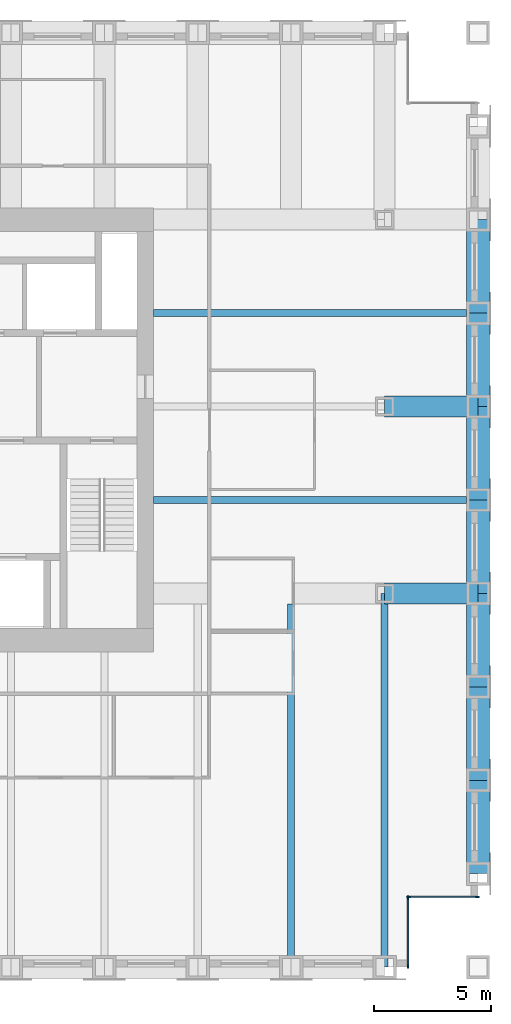
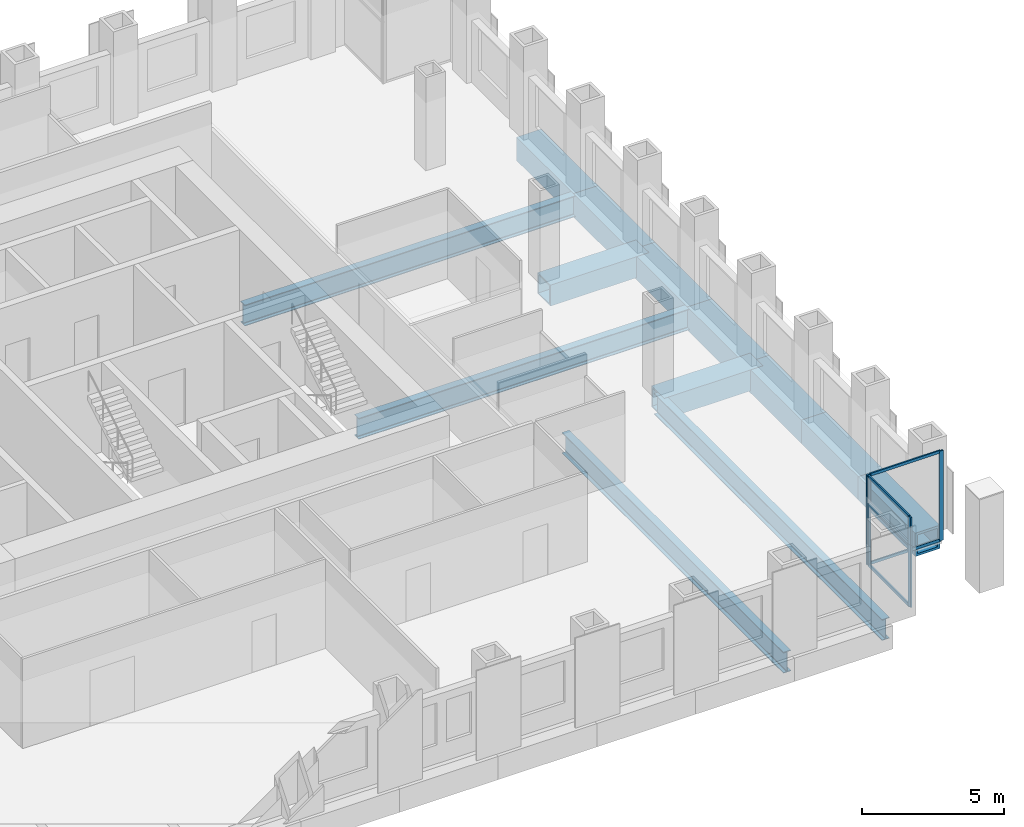
# One storey, part 4 of 12: 13 beams, 12 members, 3 elements without a shape of their own.
"""IFC4 building model written with IfcOpenShell, lengths in metres."""

import ifcopenshell
import ifcopenshell.guid

model = None  # the IFC model being written
_history = None  # IfcOwnerHistory: only IFC2X3 demands one
_inside = {}  # id of a spatial element -> (the spatial element, [elements in it])
_under = {}  # id of a project, library or spatial element -> (it, [spatial elements below it])
_declared = {}  # id of a project -> (the project, [libraries it declares])
_typed = {}  # id of a type object -> (the type object, [elements of that type])
_made_of = {}  # id of a material, layer set ... -> (it, [elements and type objects made of it])


def new_model(schema):
    """Start an empty IFC model of exactly this schema.

    Asked for "IFC4X3", IfcOpenShell would pick the latest addendum, in which some entities
    have other attributes; the version numbers below select the first issue.
    IFC2X3 requires an IfcOwnerHistory on every rooted entity: one is made here for all.
    """
    global model, _history
    if schema == "IFC4X3":
        model = ifcopenshell.file(schema_version=(4, 3, 0, 0))
    else:
        model = ifcopenshell.file(schema=schema)
    _inside.clear()
    _under.clear()
    _declared.clear()
    _typed.clear()
    _made_of.clear()
    _history = None
    if model.schema == "IFC2X3":
        org = make("IfcOrganization", Name="unknown")
        user = make(
            "IfcPersonAndOrganization",
            ThePerson=make("IfcPerson", FamilyName="unknown"),
            TheOrganization=org,
        )
        app = make(
            "IfcApplication",
            ApplicationDeveloper=org,
            Version="unknown",
            ApplicationFullName="unknown",
            ApplicationIdentifier="unknown",
        )
        _history = make(
            "IfcOwnerHistory",
            OwningUser=user,
            OwningApplication=app,
            ChangeAction="ADDED",
            CreationDate=0,
        )
    return model


def make(cls, **values):
    """One entity of the class cls with the attributes given. An attribute that is None is left unset."""
    return model.create_entity(
        cls, **{name: value for name, value in values.items() if value is not None}
    )


def rooted(cls, **values):
    """An entity with a GlobalId (a new one), such as an element, a storey or a relation."""
    return make(cls, GlobalId=ifcopenshell.guid.new(), OwnerHistory=_history, **values)


def si_unit(unit_type, name, prefix=None):
    """IfcSIUnit, for example si_unit("LENGTHUNIT", "METRE", prefix="MILLI")."""
    return make("IfcSIUnit", UnitType=unit_type, Prefix=prefix, Name=name)


def assignment(units):
    """IfcUnitAssignment: the units of a project."""
    return None if units is None else make("IfcUnitAssignment", Units=units)


def point(xyz):
    """IfcCartesianPoint."""
    return None if xyz is None else make("IfcCartesianPoint", Coordinates=xyz)


def direction(xyz):
    """IfcDirection."""
    return None if xyz is None else make("IfcDirection", DirectionRatios=xyz)


def frame(location, z_axis=None, x_axis=None):
    """IfcAxis2Placement3D, a coordinate frame: its origin and axes. An axis left out is left unset."""
    return make(
        "IfcAxis2Placement3D",
        Location=point(location),
        Axis=direction(z_axis),
        RefDirection=direction(x_axis),
    )


def frame_2d(location, x_axis=None):
    """IfcAxis2Placement2D, a coordinate frame in the plane: its origin and x axis."""
    return make(
        "IfcAxis2Placement2D", Location=point(location), RefDirection=direction(x_axis)
    )


def origin():
    """The frame at (0, 0, 0) with its axes left unset."""
    return frame((0.0, 0.0, 0.0))


def origin_2d():
    """The frame at (0, 0) in the plane with its x axis left unset."""
    return frame_2d((0.0, 0.0))


def place(relative_to, where):
    """IfcLocalPlacement: puts the frame where relative to a parent placement (None: the world)."""
    return make(
        "IfcLocalPlacement", PlacementRelTo=relative_to, RelativePlacement=where
    )


def context(
    kind, dimensions, precision=None, world=None, true_north=None, identifier=None
):
    """IfcGeometricRepresentationContext, for example the 3D "Model" context."""
    return make(
        "IfcGeometricRepresentationContext",
        ContextIdentifier=identifier,
        ContextType=kind,
        CoordinateSpaceDimension=dimensions,
        Precision=precision,
        WorldCoordinateSystem=world,
        TrueNorth=true_north,
    )


def subcontext(parent, identifier, kind, view, scale=None):
    """IfcGeometricRepresentationSubContext, for example "Body" below "Model"."""
    return make(
        "IfcGeometricRepresentationSubContext",
        ContextIdentifier=identifier,
        ContextType=kind,
        ParentContext=parent,
        TargetScale=scale,
        TargetView=view,
    )


def project(units=None, contexts=None):
    """IfcProject with its units and contexts."""
    return rooted(
        "IfcProject",
        Name="project",
        RepresentationContexts=contexts,
        UnitsInContext=assignment(units),
    )


def spatial(cls, under=None, at=None, **own):
    """A site, building, storey or space (cls), placed at a placement, below another one or the project."""
    s = rooted(cls, ObjectPlacement=at, **own)
    if under is not None:
        _under.setdefault(under.id(), (under, []))[1].append(s)
    return s


def profile(cls, at=None, kind="AREA", **sizes):
    """A parametric profile (cls). Its sizes go by their IFC names, for example OverallWidth=200.0."""
    return make(cls, ProfileType=kind, Position=at, **sizes)


def rectangle(**sizes):
    """IfcRectangleProfileDef."""
    return profile("IfcRectangleProfileDef", **sizes)


def hollow_rectangle(**sizes):
    """IfcRectangleHollowProfileDef."""
    return profile("IfcRectangleHollowProfileDef", **sizes)


def i_section(**sizes):
    """IfcIShapeProfileDef."""
    return profile("IfcIShapeProfileDef", **sizes)


def extrude(swept, where, along, depth):
    """IfcExtrudedAreaSolid: the profile swept, set in the frame where, extruded along a direction by depth."""
    return make(
        "IfcExtrudedAreaSolid",
        SweptArea=swept,
        Position=where,
        ExtrudedDirection=direction(along),
        Depth=depth,
    )


def shape(context_of_items, identifier, shape_type, items):
    """IfcShapeRepresentation: the items that make up one representation, for example the "Body"."""
    return make(
        "IfcShapeRepresentation",
        ContextOfItems=context_of_items,
        RepresentationIdentifier=identifier,
        RepresentationType=shape_type,
        Items=items,
    )


def material(Name=None, Category=None):
    """IfcMaterial."""
    return make("IfcMaterial", Name=Name, Category=Category)


def material_profile(
    of_material, cross_section, Name=None, Category=None, Priority=None
):
    """IfcMaterialProfile: a cross section and its material."""
    return make(
        "IfcMaterialProfile",
        Name=Name,
        Material=of_material,
        Profile=cross_section,
        Priority=Priority,
        Category=Category,
    )


def profile_set(profiles, Name=None, composite=None):
    """IfcMaterialProfileSet."""
    return make(
        "IfcMaterialProfileSet",
        Name=Name,
        MaterialProfiles=profiles,
        CompositeProfile=composite,
    )


def made_of(thing, what):
    """Note that an element or type object is made of a material, layer set ...; save() writes the relation."""
    if what is not None:
        _made_of.setdefault(what.id(), (what, []))[1].append(thing)
    return thing


def type_object(cls, material=None, **own):
    """A type object (cls), such as IfcWallType, which elements share."""
    return made_of(rooted(cls, **own), material)


def element(
    cls,
    number,
    at=None,
    inside=None,
    cuts=None,
    type_object=None,
    material=None,
    context=None,
    identifier="Body",
    shape_type=None,
    held_by="IfcProductDefinitionShape",
    body=None,
    shapes=None,
    **own,
):
    """One element of the class cls, such as IfcWall. Its Tag is "e" and its number.

    at: its placement. inside: the storey or other place that contains it. cuts: it is an
    opening in that element (IfcRelVoidsElement). A single representation is given by context,
    identifier, shape_type and body (its items); several are given by shapes. held_by: the class
    of the entity that holds the representations. save() writes the other relations.
    """
    e = rooted(cls, Tag="e%d" % number, ObjectPlacement=at, **own)
    if body is not None:
        shapes = [shape(context, identifier, shape_type, body)]
    if shapes is not None:
        e.Representation = make(held_by, Representations=shapes)
    if inside is not None:
        _inside.setdefault(inside.id(), (inside, []))[1].append(e)
    if cuts is not None:
        rooted(
            "IfcRelVoidsElement", RelatingBuildingElement=cuts, RelatedOpeningElement=e
        )
    if type_object is not None:
        _typed.setdefault(type_object.id(), (type_object, []))[1].append(e)
    return made_of(e, material)


def aggregate(whole, parts):
    """IfcRelAggregates: a whole, such as a stair, and the parts it consists of."""
    return rooted("IfcRelAggregates", RelatingObject=whole, RelatedObjects=parts)


def save(model, path):
    """Write the relations noted so far, then the file.

    IfcRelAggregates (storeys below a building ...), IfcRelContainedInSpatialStructure (elements
    in a storey), IfcRelDefinesByType, IfcRelAssociatesMaterial and IfcRelDeclares: one each for
    every whole, place, type object, material and project.
    """
    for whole, parts in _under.values():
        aggregate(whole, parts)
    for where, things in _inside.values():
        rooted(
            "IfcRelContainedInSpatialStructure",
            RelatedElements=things,
            RelatingStructure=where,
        )
    for kind, things in _typed.values():
        rooted("IfcRelDefinesByType", RelatedObjects=things, RelatingType=kind)
    for what, things in _made_of.values():
        rooted("IfcRelAssociatesMaterial", RelatedObjects=things, RelatingMaterial=what)
    for by, libraries in _declared.values():
        rooted("IfcRelDeclares", RelatingContext=by, RelatedDefinitions=libraries)
    model.write(path)


model = new_model("IFC4")

# Units and contexts
model_context = context("Model", 3, precision=1e-05, world=origin(), true_north=direction((0.0, 1.0)))
body_context = subcontext(model_context, "Body", "Model", "MODEL_VIEW")
ifc_project = project(units=[si_unit("LENGTHUNIT", "METRE"), si_unit("AREAUNIT", "SQUARE_METRE"), si_unit("VOLUMEUNIT", "CUBIC_METRE"), si_unit("PLANEANGLEUNIT", "RADIAN"), si_unit("MASSUNIT", "GRAM", prefix="KILO")], contexts=[model_context])

# Site, building, storey
site_placement = place(None, origin())
site = spatial("IfcSite", under=ifc_project, at=site_placement, CompositionType="ELEMENT")
building_placement = place(site_placement, origin())
building = spatial("IfcBuilding", under=site, at=building_placement, Name="Rimbunsela Tower", CompositionType="ELEMENT")
storey_placement = place(building_placement, frame((0.0, 0.0, 266.199951171875)))
storey = spatial("IfcBuildingStorey", under=building, at=storey_placement, Name="L64", CompositionType="ELEMENT", Elevation=266.199951171875)

# Beams
ifc_material_1 = material(Name="Steel BJ 55 (fy 410 MPa)", Category="steel")
ifc_material_profile_1 = material_profile(ifc_material_1, hollow_rectangle(XDim=1.0, YDim=1.0, WallThickness=0.10009765625, at=origin_2d()), Name="BOX 1000x1000x100")
ifc_profile_set_1 = profile_set([ifc_material_profile_1], Name="Steel BJ 55 (fy 410 MPa)")
beam_type_1 = type_object("IfcBeamType", Name="Beam BOX 1000x1000x100", PredefinedType="BEAM", material=ifc_profile_set_1)
for number, where, z_axis, x_axis, name in (
    (1, (50.0, 8.0, -0.64990234375), (0.0, 1.0, 0.0), (-1.0, 0.0, 0.0), "Beam B3 L64"),
    (2, (50.0, 12.0, -0.64990234375), (0.0, 1.0, 0.0), (-1.0, 0.0, 0.0), "Beam B3 L64"),
    (3, (50.0, 16.0, -0.64990234375), (0.0, 1.0, 0.0), (-1.0, 0.0, 0.0), "Beam B3 L64"),
    (4, (50.0, 20.0, -0.64990234375), (0.0, 1.0, 0.0), (-1.0, 0.0, 0.0), "Beam B3 L64"),
    (5, (50.0, 24.0, -0.64990234375), (0.0, 1.0, 0.0), (-1.0, 0.0, 0.0), "Beam B3 L64"),
    (6, (50.0, 28.0, -0.64990234375), (0.0, 1.0, 0.0), (-1.0, 0.0, 0.0), "Beam B3 L64"),
    (7, (50.0, 32.0, -0.64990234375), (0.0, 1.0, 0.0), (-1.0, 0.0, 0.0), "Beam B3 L64"),
):
    element("IfcBeam", number, at=place(storey_placement, frame(where, z_axis=z_axis, x_axis=x_axis)), inside=storey, type_object=beam_type_1, Name=name, PredefinedType="BEAM", context=body_context, shape_type="SweptSolid", body=[
        extrude(hollow_rectangle(XDim=1.0, YDim=1.0, WallThickness=0.10009765625, at=origin_2d()), origin(), (0.0, 0.0, 1.0), 4.0),
    ])
ifc_material_2 = material(Name="Steel BJ 55 (fy 410 MPa)", Category="steel")
ifc_material_profile_2 = material_profile(ifc_material_2, hollow_rectangle(XDim=0.89990234375, YDim=0.89990234375, WallThickness=0.06005859375, at=origin_2d()), Name="BOX 900x900x60")
ifc_profile_set_2 = profile_set([ifc_material_profile_2], Name="Steel BJ 55 (fy 410 MPa)")
beam_type_2 = type_object("IfcBeamType", Name="Beam BOX 900x900x60", PredefinedType="BEAM", material=ifc_profile_set_2)
for number, where, z_axis, x_axis, name in (
    (8, (46.0, 20.0, -0.599853515625), (1.0, 0.0, 0.0), (0.0, 1.0, 0.0), "Beam B1 L64"),
    (9, (46.0, 28.0, -0.599853515625), (1.0, 0.0, 0.0), (0.0, 1.0, 0.0), "Beam B1 L64"),
):
    element("IfcBeam", number, at=place(storey_placement, frame(where, z_axis=z_axis, x_axis=x_axis)), inside=storey, type_object=beam_type_2, Name=name, PredefinedType="BEAM", context=body_context, shape_type="SweptSolid", body=[
        extrude(hollow_rectangle(XDim=0.89990234375, YDim=0.89990234375, WallThickness=0.06005859375, at=origin_2d()), origin(), (0.0, 0.0, 1.0), 4.0),
    ])
ifc_material_3 = material(Name="Steel BJ 55 (fy 410 MPa)", Category="steel")
ifc_material_profile_3 = material_profile(ifc_material_3, i_section(OverallWidth=0.300048828125, OverallDepth=0.89990234375, WebThickness=0.01611328125, FlangeThickness=0.028076171875, FilletRadius=0.028076171875, at=origin_2d()), Name="H 900x300x16x28")
ifc_profile_set_3 = profile_set([ifc_material_profile_3], Name="Steel BJ 55 (fy 410 MPa)")
beam_type_3 = type_object("IfcBeamType", Name="Beam H 900x300x16x28", PredefinedType="BEAM", material=ifc_profile_set_3)
for number, where, z_axis, x_axis, name in (
    (10, (36.10009765625, 24.0, -0.599853515625), (1.0, 0.0, 0.0), (0.0, 1.0, 0.0), "Beam B2 L64"),
    (11, (36.10009765625, 32.0, -0.599853515625), (1.0, 0.0, 0.0), (0.0, 1.0, 0.0), "Beam B2 L64"),
):
    element("IfcBeam", number, at=place(storey_placement, frame(where, z_axis=z_axis, x_axis=x_axis)), inside=storey, type_object=beam_type_3, Name=name, PredefinedType="BEAM", context=body_context, shape_type="SweptSolid", body=[
        extrude(i_section(OverallWidth=0.300048828125, OverallDepth=0.89990234375, WebThickness=0.01611328125, FlangeThickness=0.028076171875, FilletRadius=0.028076171875, at=origin_2d()), origin(), (0.0, 0.0, 1.0), 13.89990234375),
    ])
beam_1_placement = place(storey_placement, frame((42.0, 4.0, -0.599853515625), z_axis=(0.0, 1.0, 0.0), x_axis=(-1.0, 0.0, 0.0)))
element("IfcBeam", 12, at=beam_1_placement, inside=storey, type_object=beam_type_3, Name="Beam B2 L64", PredefinedType="BEAM", context=body_context, shape_type="SweptSolid", body=[
    extrude(i_section(OverallWidth=0.300048828125, OverallDepth=0.89990234375, WebThickness=0.01611328125, FlangeThickness=0.028076171875, FilletRadius=0.028076171875, at=origin_2d()), origin(), (0.0, 0.0, 1.0), 15.550048828125),
])
beam_2_placement = place(storey_placement, frame((46.0, 4.0, -0.599853515625), z_axis=(0.0, 1.0, 0.0), x_axis=(-1.0, 0.0, 0.0)))
element("IfcBeam", 13, at=beam_2_placement, inside=storey, type_object=beam_type_3, Name="Beam B2 L64", PredefinedType="BEAM", context=body_context, shape_type="SweptSolid", body=[
    extrude(i_section(OverallWidth=0.300048828125, OverallDepth=0.89990234375, WebThickness=0.01611328125, FlangeThickness=0.028076171875, FilletRadius=0.028076171875, at=origin_2d()), origin(), (0.0, 0.0, 1.0), 16.0),
])

# Curtain wall, members
ifc_material_4 = material(Name="Aluminium curtain wall", Category="aluminium")
curtain_wall_type_1 = type_object("IfcCurtainWallType", Name="Corner glazing", PredefinedType="USERDEFINED", material=ifc_material_4)
curtain_wall_1_placement = place(storey_placement, origin())
curtain_wall_1 = element("IfcCurtainWall", 14, at=curtain_wall_1_placement, inside=storey, type_object=curtain_wall_type_1, Name="Corner glazing L64", ObjectType="CORNER GLAZING", PredefinedType="USERDEFINED")
ifc_material_5 = material(Name="Aluminium mullion", Category="aluminium")
ifc_material_profile_4 = material_profile(ifc_material_5, rectangle(XDim=0.06005859375, YDim=0.159912109375, at=origin_2d()), Name="Mullion 60x160")
ifc_profile_set_4 = profile_set([ifc_material_profile_4], Name="Aluminium mullion")
member_type_1 = type_object("IfcMemberType", Name="Curtain wall mullion 60x160", PredefinedType="MULLION", material=ifc_profile_set_4)
member_1_placement = place(storey_placement, frame((47.0, 4.030029296875, 0.0), z_axis=(0.0, 0.0, 1.0), x_axis=(-1.0, 0.0, 0.0)))
member_1 = element("IfcMember", 15, at=member_1_placement, type_object=member_type_1, Name="CW5 mullion 1", PredefinedType="MULLION", context=body_context, shape_type="SweptSolid", body=[
    extrude(rectangle(XDim=0.06005859375, YDim=0.159912109375, at=origin_2d()), origin(), (0.0, 0.0, 1.0), 2.650146484375),
])
member_2_placement = place(storey_placement, frame((47.0, 6.969970703125, 0.0), z_axis=(0.0, 0.0, 1.0), x_axis=(-1.0, 0.0, 0.0)))
member_2 = element("IfcMember", 16, at=member_2_placement, type_object=member_type_1, Name="CW5 mullion 2", PredefinedType="MULLION", context=body_context, shape_type="SweptSolid", body=[
    extrude(rectangle(XDim=0.06005859375, YDim=0.159912109375, at=origin_2d()), origin(), (0.0, 0.0, 1.0), 2.650146484375),
])

ifc_material_6 = material(Name="Aluminium curtain wall", Category="aluminium")
curtain_wall_type_2 = type_object("IfcCurtainWallType", Name="Spandrel wall", PredefinedType="USERDEFINED", material=ifc_material_6)
curtain_wall_2_placement = place(storey_placement, origin())
curtain_wall_2 = element("IfcCurtainWall", 17, at=curtain_wall_2_placement, inside=storey, type_object=curtain_wall_type_2, Name="Spandrel wall L64", ObjectType="SPANDREL WALL", PredefinedType="USERDEFINED")
member_3_placement = place(storey_placement, frame((47.0, 4.030029296875, 2.650146484375), z_axis=(0.0, 0.0, 1.0), x_axis=(-1.0, 0.0, 0.0)))
member_3 = element("IfcMember", 18, at=member_3_placement, type_object=member_type_1, Name="CW7 mullion 1", PredefinedType="MULLION", context=body_context, shape_type="SweptSolid", body=[
    extrude(rectangle(XDim=0.06005859375, YDim=0.159912109375, at=origin_2d()), origin(), (0.0, 0.0, 1.0), 1.199951171875),
])
member_4_placement = place(storey_placement, frame((47.0, 6.969970703125, 2.650146484375), z_axis=(0.0, 0.0, 1.0), x_axis=(-1.0, 0.0, 0.0)))
member_4 = element("IfcMember", 19, at=member_4_placement, type_object=member_type_1, Name="CW7 mullion 2", PredefinedType="MULLION", context=body_context, shape_type="SweptSolid", body=[
    extrude(rectangle(XDim=0.06005859375, YDim=0.159912109375, at=origin_2d()), origin(), (0.0, 0.0, 1.0), 1.199951171875),
])

curtain_wall_3_placement = place(storey_placement, origin())
curtain_wall_3 = element("IfcCurtainWall", 20, at=curtain_wall_3_placement, inside=storey, type_object=curtain_wall_type_1, Name="Corner glazing L64", ObjectType="CORNER GLAZING", PredefinedType="USERDEFINED")
member_5_placement = place(storey_placement, frame((47.030029296875, 7.0, 0.0), z_axis=(0.0, 0.0, 1.0), x_axis=(0.0, 1.0, 0.0)))
member_5 = element("IfcMember", 21, at=member_5_placement, type_object=member_type_1, Name="CW5 mullion 1", PredefinedType="MULLION", context=body_context, shape_type="SweptSolid", body=[
    extrude(rectangle(XDim=0.06005859375, YDim=0.159912109375, at=origin_2d()), origin(), (0.0, 0.0, 1.0), 3.85009765625),
])
member_6_placement = place(storey_placement, frame((49.969970703125, 7.0, 0.0), z_axis=(0.0, 0.0, 1.0), x_axis=(0.0, 1.0, 0.0)))
member_6 = element("IfcMember", 22, at=member_6_placement, type_object=member_type_1, Name="CW5 mullion 2", PredefinedType="MULLION", context=body_context, shape_type="SweptSolid", body=[
    extrude(rectangle(XDim=0.06005859375, YDim=0.159912109375, at=origin_2d()), origin(), (0.0, 0.0, 1.0), 3.85009765625),
])

# Member
ifc_material_7 = material(Name="Aluminium transom", Category="aluminium")
ifc_material_profile_5 = material_profile(ifc_material_7, rectangle(XDim=0.06005859375, YDim=0.1201171875, at=origin_2d()), Name="Transom 60x120")
ifc_profile_set_5 = profile_set([ifc_material_profile_5], Name="Aluminium transom")
member_type_2 = type_object("IfcMemberType", Name="Curtain wall transom 60x120", PredefinedType="USERDEFINED", material=ifc_profile_set_5)
member_7_placement = place(storey_placement, frame((47.0, 4.06005859375, 0.030029296875), z_axis=(0.0, 1.0, 0.0), x_axis=(-1.0, 0.0, 0.0)))
member_7 = element("IfcMember", 23, at=member_7_placement, type_object=member_type_2, Name="CW5 transom 1.1", ObjectType="TRANSOM", PredefinedType="USERDEFINED", context=body_context, shape_type="SweptSolid", body=[
    extrude(rectangle(XDim=0.06005859375, YDim=0.1201171875, at=origin_2d()), origin(), (0.0, 0.0, 1.0), 2.8798828125),
])

member_8_placement = place(storey_placement, frame((47.0, 4.06005859375, 2.6201171875), z_axis=(0.0, 1.0, 0.0), x_axis=(-1.0, 0.0, 0.0)))
member_8 = element("IfcMember", 24, at=member_8_placement, type_object=member_type_2, Name="CW5 transom 1.2", ObjectType="TRANSOM", PredefinedType="USERDEFINED", context=body_context, shape_type="SweptSolid", body=[
    extrude(rectangle(XDim=0.06005859375, YDim=0.1201171875, at=origin_2d()), origin(), (0.0, 0.0, 1.0), 2.8798828125),
])

aggregate(curtain_wall_1, [member_1, member_2, member_7, member_8])

member_9_placement = place(storey_placement, frame((47.0, 4.06005859375, 2.679931640625), z_axis=(0.0, 1.0, 0.0), x_axis=(-1.0, 0.0, 0.0)))
member_9 = element("IfcMember", 25, at=member_9_placement, type_object=member_type_2, Name="CW7 transom 1.1", ObjectType="TRANSOM", PredefinedType="USERDEFINED", context=body_context, shape_type="SweptSolid", body=[
    extrude(rectangle(XDim=0.06005859375, YDim=0.1201171875, at=origin_2d()), origin(), (0.0, 0.0, 1.0), 2.8798828125),
])

member_10_placement = place(storey_placement, frame((47.0, 4.06005859375, 3.820068359375), z_axis=(0.0, 1.0, 0.0), x_axis=(-1.0, 0.0, 0.0)))
member_10 = element("IfcMember", 26, at=member_10_placement, type_object=member_type_2, Name="CW7 transom 1.2", ObjectType="TRANSOM", PredefinedType="USERDEFINED", context=body_context, shape_type="SweptSolid", body=[
    extrude(rectangle(XDim=0.06005859375, YDim=0.1201171875, at=origin_2d()), origin(), (0.0, 0.0, 1.0), 2.8798828125),
])

aggregate(curtain_wall_2, [member_3, member_4, member_9, member_10])

member_11_placement = place(storey_placement, frame((47.06005859375, 7.0, 0.030029296875), z_axis=(1.0, 0.0, 0.0), x_axis=(0.0, 1.0, 0.0)))
member_11 = element("IfcMember", 27, at=member_11_placement, type_object=member_type_2, Name="CW5 transom 1.1", ObjectType="TRANSOM", PredefinedType="USERDEFINED", context=body_context, shape_type="SweptSolid", body=[
    extrude(rectangle(XDim=0.06005859375, YDim=0.1201171875, at=origin_2d()), origin(), (0.0, 0.0, 1.0), 2.8798828125),
])

member_12_placement = place(storey_placement, frame((47.06005859375, 7.0, 3.820068359375), z_axis=(1.0, 0.0, 0.0), x_axis=(0.0, 1.0, 0.0)))
member_12 = element("IfcMember", 28, at=member_12_placement, type_object=member_type_2, Name="CW5 transom 1.2", ObjectType="TRANSOM", PredefinedType="USERDEFINED", context=body_context, shape_type="SweptSolid", body=[
    extrude(rectangle(XDim=0.06005859375, YDim=0.1201171875, at=origin_2d()), origin(), (0.0, 0.0, 1.0), 2.8798828125),
])

aggregate(curtain_wall_3, [member_5, member_6, member_11, member_12])

save(model, "model.ifc")
